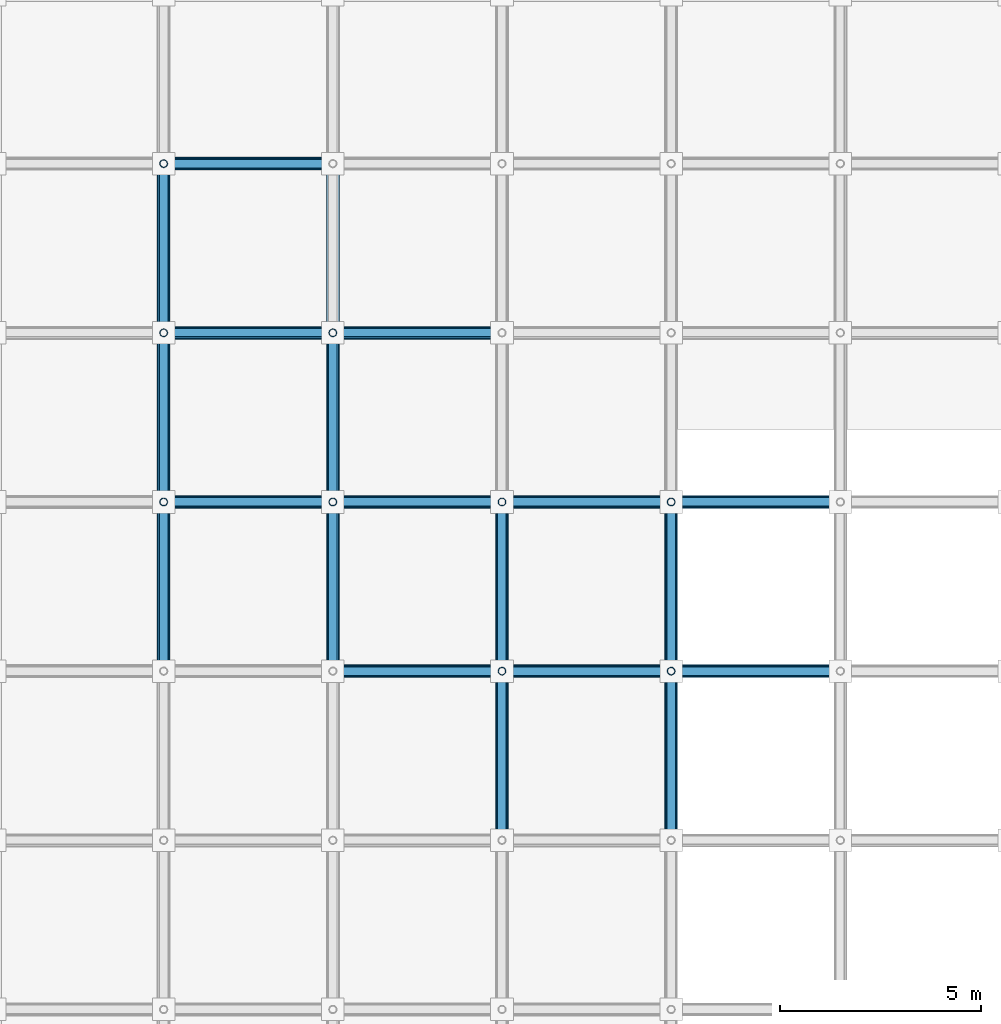
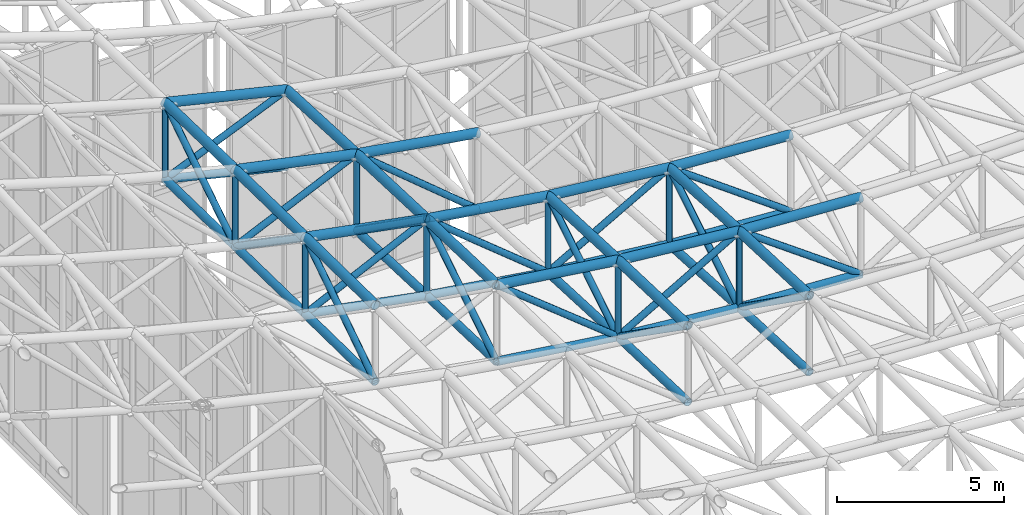
# One storey, part 29 of 93: 67 members.
"""IFC4 building model written with IfcOpenShell, lengths in metres."""

from ifc_helpers import new_model, si_unit, direction, frame, origin, origin_2d, place, context, subcontext, project, spatial, hollow_circle, extrude, material, material_profile, profile_set, type_object, element, save


model = new_model("IFC4")

# Units and contexts
model_context = context("Model", 3, precision=1e-05, world=origin(), true_north=direction((0.0, 1.0)))
body_context = subcontext(model_context, "Body", "Model", "MODEL_VIEW")
ifc_project = project(units=[si_unit("LENGTHUNIT", "METRE"), si_unit("AREAUNIT", "SQUARE_METRE"), si_unit("VOLUMEUNIT", "CUBIC_METRE"), si_unit("PLANEANGLEUNIT", "RADIAN"), si_unit("MASSUNIT", "GRAM", prefix="KILO")], contexts=[model_context])

# Site, building, storey
site_placement = place(None, origin())
site = spatial("IfcSite", under=ifc_project, at=site_placement, CompositionType="ELEMENT")
building_placement = place(site_placement, origin())
building = spatial("IfcBuilding", under=site, at=building_placement, Name="Cumbredor Promenade Congress Hotel", CompositionType="ELEMENT")
storey_placement = place(building_placement, frame((0.0, 0.0, 21.840087890625)))
storey = spatial("IfcBuildingStorey", under=building, at=storey_placement, Name="L06", CompositionType="ELEMENT", Elevation=21.840087890625)

# Members
ifc_material = material(Name="Steel ASTM A500 Grade C", Category="steel")
ifc_material_profile_1 = material_profile(ifc_material, hollow_circle(Radius=0.136474609375, WallThickness=0.01611328125, at=origin_2d()), Name="CHS 273.0x16")
ifc_profile_set_1 = profile_set([ifc_material_profile_1], Name="Steel ASTM A500 Grade C")
member_type_1 = type_object("IfcMemberType", Name="Plenary Roof Space Frame Bottom Chord", PredefinedType="CHORD", material=ifc_profile_set_1)
member_1_placement = place(storey_placement, frame((16.800048828125, 50.39990234375, 8.819091796875), z_axis=(0.991135072385, 0.0, -0.132858075738), x_axis=(0.0, 1.0, 0.0)))
element("IfcMember", 1, at=member_1_placement, inside=storey, type_object=member_type_1, Name="Plenary Congress Hall X Bottom Chord 6.13", PredefinedType="CHORD", context=body_context, shape_type="SweptSolid", body=[
    extrude(hollow_circle(Radius=0.136474609375, WallThickness=0.01611328125, at=origin_2d()), origin(), (0.0, 0.0, 1.0), 4.237548828125),
])
member_2_placement = place(storey_placement, frame((21.0, 50.39990234375, 8.256103515625), z_axis=(0.995448277851, 0.0, -0.095303337419), x_axis=(0.0, 1.0, 0.0)))
element("IfcMember", 2, at=member_2_placement, inside=storey, type_object=member_type_1, Name="Plenary Congress Hall X Bottom Chord 7.13", PredefinedType="CHORD", context=body_context, shape_type="SweptSolid", body=[
    extrude(hollow_circle(Radius=0.136474609375, WallThickness=0.01611328125, at=origin_2d()), origin(), (0.0, 0.0, 1.0), 4.21923828125),
])
member_3_placement = place(storey_placement, frame((25.199951171875, 50.39990234375, 7.85400390625), z_axis=(0.998351536645, 0.0, -0.057395202566), x_axis=(0.0, 1.0, 0.0)))
element("IfcMember", 3, at=member_3_placement, inside=storey, type_object=member_type_1, Name="Plenary Congress Hall X Bottom Chord 8.13", PredefinedType="CHORD", context=body_context, shape_type="SweptSolid", body=[
    extrude(hollow_circle(Radius=0.136474609375, WallThickness=0.01611328125, at=origin_2d()), origin(), (0.0, 0.0, 1.0), 4.206787109375),
])
member_4_placement = place(storey_placement, frame((12.60009765625, 54.60009765625, 9.484130859375), z_axis=(0.98239899526, 0.0, -0.186794577312), x_axis=(0.0, 1.0, 0.0)))
element("IfcMember", 4, at=member_4_placement, inside=storey, type_object=member_type_1, Name="Plenary Congress Hall X Bottom Chord 5.14", PredefinedType="CHORD", context=body_context, shape_type="SweptSolid", body=[
    extrude(hollow_circle(Radius=0.136474609375, WallThickness=0.01611328125, at=origin_2d()), origin(), (0.0, 0.0, 1.0), 4.275146484375),
])
member_5_placement = place(storey_placement, frame((16.800048828125, 54.60009765625, 8.685546875), z_axis=(0.989250033401, 0.0, -0.146233961224), x_axis=(0.0, 1.0, 0.0)))
element("IfcMember", 5, at=member_5_placement, inside=storey, type_object=member_type_1, Name="Plenary Congress Hall X Bottom Chord 6.14", PredefinedType="CHORD", context=body_context, shape_type="SweptSolid", body=[
    extrude(hollow_circle(Radius=0.136474609375, WallThickness=0.01611328125, at=origin_2d()), origin(), (0.0, 0.0, 1.0), 4.24560546875),
])
member_6_placement = place(storey_placement, frame((21.0, 54.60009765625, 8.064697265625), z_axis=(0.99446833023, 0.0, -0.105036851481), x_axis=(0.0, 1.0, 0.0)))
element("IfcMember", 6, at=member_6_placement, inside=storey, type_object=member_type_1, Name="Plenary Congress Hall X Bottom Chord 7.14", PredefinedType="CHORD", context=body_context, shape_type="SweptSolid", body=[
    extrude(hollow_circle(Radius=0.136474609375, WallThickness=0.01611328125, at=origin_2d()), origin(), (0.0, 0.0, 1.0), 4.223388671875),
])
member_7_placement = place(storey_placement, frame((25.199951171875, 54.60009765625, 7.62109375), z_axis=(0.997998712994, 0.0, -0.063234238049), x_axis=(0.0, 1.0, 0.0)))
element("IfcMember", 7, at=member_7_placement, inside=storey, type_object=member_type_1, Name="Plenary Congress Hall X Bottom Chord 8.14", PredefinedType="CHORD", context=body_context, shape_type="SweptSolid", body=[
    extrude(hollow_circle(Radius=0.136474609375, WallThickness=0.01611328125, at=origin_2d()), origin(), (0.0, 0.0, 1.0), 4.208251953125),
])
member_8_placement = place(storey_placement, frame((12.60009765625, 58.800048828125, 9.410400390625), z_axis=(0.978189332604, 0.0, -0.207715260827), x_axis=(0.0, 1.0, 0.0)))
element("IfcMember", 8, at=member_8_placement, inside=storey, type_object=member_type_1, Name="Plenary Congress Hall X Bottom Chord 5.15", PredefinedType="CHORD", context=body_context, shape_type="SweptSolid", body=[
    extrude(hollow_circle(Radius=0.136474609375, WallThickness=0.01611328125, at=origin_2d()), origin(), (0.0, 0.0, 1.0), 4.293701171875),
])
member_9_placement = place(storey_placement, frame((16.800048828125, 58.800048828125, 8.5185546875), z_axis=(0.986645422548, 0.0, -0.16288281114), x_axis=(0.0, 1.0, 0.0)))
element("IfcMember", 9, at=member_9_placement, inside=storey, type_object=member_type_1, Name="Plenary Congress Hall X Bottom Chord 6.15", PredefinedType="CHORD", context=body_context, shape_type="SweptSolid", body=[
    extrude(hollow_circle(Radius=0.136474609375, WallThickness=0.01611328125, at=origin_2d()), origin(), (0.0, 0.0, 1.0), 4.2568359375),
])
member_10_placement = place(storey_placement, frame((12.60009765625, 63.0, 9.321533203125), z_axis=(0.972626967518, 0.0, -0.23237207676), x_axis=(0.0, 1.0, 0.0)))
element("IfcMember", 10, at=member_10_placement, inside=storey, type_object=member_type_1, Name="Plenary Congress Hall X Bottom Chord 5.16", PredefinedType="CHORD", context=body_context, shape_type="SweptSolid", body=[
    extrude(hollow_circle(Radius=0.136474609375, WallThickness=0.01611328125, at=origin_2d()), origin(), (0.0, 0.0, 1.0), 4.318115234375),
])
for number, where, z_axis, x_axis, name in (
    (11, (12.60009765625, 50.39990234375, 9.54296875), (0.0, 0.999901897221, -0.014006995886), (-1.0, 0.0, 0.0), "Plenary Congress Hall Y Bottom Chord 5.13"),
    (12, (12.60009765625, 54.60009765625, 9.484130859375), (0.0, 0.999845945232, -0.017552373159), (-1.0, 0.0, 0.0), "Plenary Congress Hall Y Bottom Chord 5.14"),
):
    element("IfcMember", number, at=place(storey_placement, frame(where, z_axis=z_axis, x_axis=x_axis)), inside=storey, type_object=member_type_1, Name=name, PredefinedType="CHORD", context=body_context, shape_type="SweptSolid", body=[
        extrude(hollow_circle(Radius=0.136474609375, WallThickness=0.01611328125, at=origin_2d()), origin(), (0.0, 0.0, 1.0), 4.20068359375),
    ])
member_11_placement = place(storey_placement, frame((12.60009765625, 58.800048828125, 9.410400390625), z_axis=(0.0, 0.999776221378, -0.021154365203), x_axis=(-1.0, 0.0, 0.0)))
element("IfcMember", 13, at=member_11_placement, inside=storey, type_object=member_type_1, Name="Plenary Congress Hall Y Bottom Chord 5.15", PredefinedType="CHORD", context=body_context, shape_type="SweptSolid", body=[
    extrude(hollow_circle(Radius=0.136474609375, WallThickness=0.01611328125, at=origin_2d()), origin(), (0.0, 0.0, 1.0), 4.200927734375),
])
member_12_placement = place(storey_placement, frame((16.800048828125, 50.39990234375, 8.819091796875), z_axis=(0.0, 0.999494924079, -0.031778872557), x_axis=(-1.0, 0.0, 0.0)))
element("IfcMember", 14, at=member_12_placement, inside=storey, type_object=member_type_1, Name="Plenary Congress Hall Y Bottom Chord 6.13", PredefinedType="CHORD", context=body_context, shape_type="SweptSolid", body=[
    extrude(hollow_circle(Radius=0.136474609375, WallThickness=0.01611328125, at=origin_2d()), origin(), (0.0, 0.0, 1.0), 4.202392578125),
])
member_13_placement = place(storey_placement, frame((16.800048828125, 54.60009765625, 8.685546875), z_axis=(0.0, 0.999210487027, -0.039729115452), x_axis=(-1.0, 0.0, 0.0)))
element("IfcMember", 15, at=member_13_placement, inside=storey, type_object=member_type_1, Name="Plenary Congress Hall Y Bottom Chord 6.14", PredefinedType="CHORD", context=body_context, shape_type="SweptSolid", body=[
    extrude(hollow_circle(Radius=0.136474609375, WallThickness=0.01611328125, at=origin_2d()), origin(), (0.0, 0.0, 1.0), 4.203369140625),
])
member_14_placement = place(storey_placement, frame((21.0, 46.199951171875, 8.399658203125), z_axis=(0.0, 0.999416372229, -0.034160136422), x_axis=(-1.0, 0.0, 0.0)))
element("IfcMember", 16, at=member_14_placement, inside=storey, type_object=member_type_1, Name="Plenary Congress Hall Y Bottom Chord 7.12", PredefinedType="CHORD", context=body_context, shape_type="SweptSolid", body=[
    extrude(hollow_circle(Radius=0.136474609375, WallThickness=0.01611328125, at=origin_2d()), origin(), (0.0, 0.0, 1.0), 4.202392578125),
])
member_15_placement = place(storey_placement, frame((21.0, 50.39990234375, 8.256103515625), z_axis=(0.0, 0.998963265667, -0.045523552679), x_axis=(-1.0, 0.0, 0.0)))
element("IfcMember", 17, at=member_15_placement, inside=storey, type_object=member_type_1, Name="Plenary Congress Hall Y Bottom Chord 7.13", PredefinedType="CHORD", context=body_context, shape_type="SweptSolid", body=[
    extrude(hollow_circle(Radius=0.136474609375, WallThickness=0.01611328125, at=origin_2d()), origin(), (0.0, 0.0, 1.0), 4.20458984375),
])
member_16_placement = place(storey_placement, frame((25.199951171875, 46.199951171875, 8.02880859375), z_axis=(0.0, 0.999134984522, -0.041584645057), x_axis=(-1.0, 0.0, 0.0)))
element("IfcMember", 18, at=member_16_placement, inside=storey, type_object=member_type_1, Name="Plenary Congress Hall Y Bottom Chord 8.12", PredefinedType="CHORD", context=body_context, shape_type="SweptSolid", body=[
    extrude(hollow_circle(Radius=0.136474609375, WallThickness=0.01611328125, at=origin_2d()), origin(), (0.0, 0.0, 1.0), 4.20361328125),
])
member_17_placement = place(storey_placement, frame((25.199951171875, 50.39990234375, 7.85400390625), z_axis=(0.0, 0.998466062305, -0.055367160163), x_axis=(-1.0, 0.0, 0.0)))
element("IfcMember", 19, at=member_17_placement, inside=storey, type_object=member_type_1, Name="Plenary Congress Hall Y Bottom Chord 8.13", PredefinedType="CHORD", context=body_context, shape_type="SweptSolid", body=[
    extrude(hollow_circle(Radius=0.136474609375, WallThickness=0.01611328125, at=origin_2d()), origin(), (0.0, 0.0, 1.0), 4.20654296875),
])
ifc_material_profile_2 = material_profile(ifc_material, hollow_circle(Radius=0.161865234375, WallThickness=0.01611328125, at=origin_2d()), Name="CHS 323.9x16")
ifc_profile_set_2 = profile_set([ifc_material_profile_2], Name="Steel ASTM A500 Grade C")
member_type_2 = type_object("IfcMemberType", Name="Plenary Roof Space Frame Top Chord", PredefinedType="CHORD", material=ifc_profile_set_2)
member_18_placement = place(storey_placement, frame((16.800048828125, 50.39990234375, 11.619140625), z_axis=(0.991127484187, 0.0, -0.13291467221), x_axis=(0.0, 1.0, 0.0)))
element("IfcMember", 20, at=member_18_placement, inside=storey, type_object=member_type_2, Name="Plenary Congress Hall X Top Chord 6.13", PredefinedType="CHORD", context=body_context, shape_type="SweptSolid", body=[
    extrude(hollow_circle(Radius=0.161865234375, WallThickness=0.01611328125, at=origin_2d()), origin(), (0.0, 0.0, 1.0), 4.237548828125),
])
member_19_placement = place(storey_placement, frame((21.0, 50.39990234375, 11.055908203125), z_axis=(0.995453765838, 0.0, -0.095245997708), x_axis=(0.0, 1.0, 0.0)))
element("IfcMember", 21, at=member_19_placement, inside=storey, type_object=member_type_2, Name="Plenary Congress Hall X Top Chord 7.13", PredefinedType="CHORD", context=body_context, shape_type="SweptSolid", body=[
    extrude(hollow_circle(Radius=0.161865234375, WallThickness=0.01611328125, at=origin_2d()), origin(), (0.0, 0.0, 1.0), 4.21923828125),
])
member_20_placement = place(storey_placement, frame((25.199951171875, 50.39990234375, 10.654052734375), z_axis=(0.998351536645, 0.0, -0.057395202566), x_axis=(0.0, 1.0, 0.0)))
element("IfcMember", 22, at=member_20_placement, inside=storey, type_object=member_type_2, Name="Plenary Congress Hall X Top Chord 8.13", PredefinedType="CHORD", context=body_context, shape_type="SweptSolid", body=[
    extrude(hollow_circle(Radius=0.161865234375, WallThickness=0.01611328125, at=origin_2d()), origin(), (0.0, 0.0, 1.0), 4.206787109375),
])
member_21_placement = place(storey_placement, frame((12.60009765625, 54.60009765625, 12.2841796875), z_axis=(0.98239899526, 0.0, -0.186794577312), x_axis=(0.0, 1.0, 0.0)))
element("IfcMember", 23, at=member_21_placement, inside=storey, type_object=member_type_2, Name="Plenary Congress Hall X Top Chord 5.14", PredefinedType="CHORD", context=body_context, shape_type="SweptSolid", body=[
    extrude(hollow_circle(Radius=0.161865234375, WallThickness=0.01611328125, at=origin_2d()), origin(), (0.0, 0.0, 1.0), 4.275146484375),
])
member_22_placement = place(storey_placement, frame((16.800048828125, 54.60009765625, 11.485595703125), z_axis=(0.989241713157, 0.0, -0.146290235324), x_axis=(0.0, 1.0, 0.0)))
element("IfcMember", 24, at=member_22_placement, inside=storey, type_object=member_type_2, Name="Plenary Congress Hall X Top Chord 6.14", PredefinedType="CHORD", context=body_context, shape_type="SweptSolid", body=[
    extrude(hollow_circle(Radius=0.161865234375, WallThickness=0.01611328125, at=origin_2d()), origin(), (0.0, 0.0, 1.0), 4.24560546875),
])
member_23_placement = place(storey_placement, frame((21.0, 54.60009765625, 10.864501953125), z_axis=(0.994474366989, 0.0, -0.104979680896), x_axis=(0.0, 1.0, 0.0)))
element("IfcMember", 25, at=member_23_placement, inside=storey, type_object=member_type_2, Name="Plenary Congress Hall X Top Chord 7.14", PredefinedType="CHORD", context=body_context, shape_type="SweptSolid", body=[
    extrude(hollow_circle(Radius=0.161865234375, WallThickness=0.01611328125, at=origin_2d()), origin(), (0.0, 0.0, 1.0), 4.223388671875),
])
member_24_placement = place(storey_placement, frame((25.199951171875, 54.60009765625, 10.421142578125), z_axis=(0.997998712994, 0.0, -0.063234238049), x_axis=(0.0, 1.0, 0.0)))
element("IfcMember", 26, at=member_24_placement, inside=storey, type_object=member_type_2, Name="Plenary Congress Hall X Top Chord 8.14", PredefinedType="CHORD", context=body_context, shape_type="SweptSolid", body=[
    extrude(hollow_circle(Radius=0.161865234375, WallThickness=0.01611328125, at=origin_2d()), origin(), (0.0, 0.0, 1.0), 4.208251953125),
])
member_25_placement = place(storey_placement, frame((12.60009765625, 58.800048828125, 12.210205078125), z_axis=(0.978200884634, 0.0, -0.207660851635), x_axis=(0.0, 1.0, 0.0)))
element("IfcMember", 27, at=member_25_placement, inside=storey, type_object=member_type_2, Name="Plenary Congress Hall X Top Chord 5.15", PredefinedType="CHORD", context=body_context, shape_type="SweptSolid", body=[
    extrude(hollow_circle(Radius=0.161865234375, WallThickness=0.01611328125, at=origin_2d()), origin(), (0.0, 0.0, 1.0), 4.29345703125),
])
member_26_placement = place(storey_placement, frame((16.800048828125, 58.800048828125, 11.318603515625), z_axis=(0.986636203976, 0.0, -0.162938641836), x_axis=(0.0, 1.0, 0.0)))
element("IfcMember", 28, at=member_26_placement, inside=storey, type_object=member_type_2, Name="Plenary Congress Hall X Top Chord 6.15", PredefinedType="CHORD", context=body_context, shape_type="SweptSolid", body=[
    extrude(hollow_circle(Radius=0.161865234375, WallThickness=0.01611328125, at=origin_2d()), origin(), (0.0, 0.0, 1.0), 4.2568359375),
])
member_27_placement = place(storey_placement, frame((12.60009765625, 63.0, 12.12158203125), z_axis=(0.972626967518, 0.0, -0.23237207676), x_axis=(0.0, 1.0, 0.0)))
element("IfcMember", 29, at=member_27_placement, inside=storey, type_object=member_type_2, Name="Plenary Congress Hall X Top Chord 5.16", PredefinedType="CHORD", context=body_context, shape_type="SweptSolid", body=[
    extrude(hollow_circle(Radius=0.161865234375, WallThickness=0.01611328125, at=origin_2d()), origin(), (0.0, 0.0, 1.0), 4.318115234375),
])
for number, where, z_axis, x_axis, name in (
    (30, (12.60009765625, 50.39990234375, 12.343017578125), (0.0, 0.999901897221, -0.014006995886), (-1.0, 0.0, 0.0), "Plenary Congress Hall Y Top Chord 5.13"),
    (31, (12.60009765625, 54.60009765625, 12.2841796875), (0.0, 0.99984492355, -0.017610475605), (-1.0, 0.0, 0.0), "Plenary Congress Hall Y Top Chord 5.14"),
):
    element("IfcMember", number, at=place(storey_placement, frame(where, z_axis=z_axis, x_axis=x_axis)), inside=storey, type_object=member_type_2, Name=name, PredefinedType="CHORD", context=body_context, shape_type="SweptSolid", body=[
        extrude(hollow_circle(Radius=0.161865234375, WallThickness=0.01611328125, at=origin_2d()), origin(), (0.0, 0.0, 1.0), 4.20068359375),
    ])
member_28_placement = place(storey_placement, frame((12.60009765625, 58.800048828125, 12.210205078125), z_axis=(0.0, 0.999777448832, -0.021096274715), x_axis=(-1.0, 0.0, 0.0)))
element("IfcMember", 32, at=member_28_placement, inside=storey, type_object=member_type_2, Name="Plenary Congress Hall Y Top Chord 5.15", PredefinedType="CHORD", context=body_context, shape_type="SweptSolid", body=[
    extrude(hollow_circle(Radius=0.161865234375, WallThickness=0.01611328125, at=origin_2d()), origin(), (0.0, 0.0, 1.0), 4.200927734375),
])
member_29_placement = place(storey_placement, frame((16.800048828125, 50.39990234375, 11.619140625), z_axis=(0.0, 0.999494924079, -0.031778872557), x_axis=(-1.0, 0.0, 0.0)))
element("IfcMember", 33, at=member_29_placement, inside=storey, type_object=member_type_2, Name="Plenary Congress Hall Y Top Chord 6.13", PredefinedType="CHORD", context=body_context, shape_type="SweptSolid", body=[
    extrude(hollow_circle(Radius=0.161865234375, WallThickness=0.01611328125, at=origin_2d()), origin(), (0.0, 0.0, 1.0), 4.202392578125),
])
member_30_placement = place(storey_placement, frame((16.800048828125, 54.60009765625, 11.485595703125), z_axis=(0.0, 0.999210487027, -0.039729115452), x_axis=(-1.0, 0.0, 0.0)))
element("IfcMember", 34, at=member_30_placement, inside=storey, type_object=member_type_2, Name="Plenary Congress Hall Y Top Chord 6.14", PredefinedType="CHORD", context=body_context, shape_type="SweptSolid", body=[
    extrude(hollow_circle(Radius=0.161865234375, WallThickness=0.01611328125, at=origin_2d()), origin(), (0.0, 0.0, 1.0), 4.203369140625),
])
member_31_placement = place(storey_placement, frame((16.800048828125, 58.800048828125, 11.318603515625), z_axis=(0.0, 0.998863140355, -0.047669978389), x_axis=(-1.0, 0.0, 0.0)))
element("IfcMember", 35, at=member_31_placement, inside=storey, type_object=member_type_2, Name="Plenary Congress Hall Y Top Chord 6.15", PredefinedType="CHORD", context=body_context, shape_type="SweptSolid", body=[
    extrude(hollow_circle(Radius=0.161865234375, WallThickness=0.01611328125, at=origin_2d()), origin(), (0.0, 0.0, 1.0), 4.204833984375),
])
member_32_placement = place(storey_placement, frame((21.0, 46.199951171875, 11.19970703125), z_axis=(0.0, 0.999414387158, -0.034218163927), x_axis=(-1.0, 0.0, 0.0)))
element("IfcMember", 36, at=member_32_placement, inside=storey, type_object=member_type_2, Name="Plenary Congress Hall Y Top Chord 7.12", PredefinedType="CHORD", context=body_context, shape_type="SweptSolid", body=[
    extrude(hollow_circle(Radius=0.161865234375, WallThickness=0.01611328125, at=origin_2d()), origin(), (0.0, 0.0, 1.0), 4.202392578125),
])
member_33_placement = place(storey_placement, frame((21.0, 50.39990234375, 11.055908203125), z_axis=(0.0, 0.998963265667, -0.045523552679), x_axis=(-1.0, 0.0, 0.0)))
element("IfcMember", 37, at=member_33_placement, inside=storey, type_object=member_type_2, Name="Plenary Congress Hall Y Top Chord 7.13", PredefinedType="CHORD", context=body_context, shape_type="SweptSolid", body=[
    extrude(hollow_circle(Radius=0.161865234375, WallThickness=0.01611328125, at=origin_2d()), origin(), (0.0, 0.0, 1.0), 4.20458984375),
])
member_34_placement = place(storey_placement, frame((25.199951171875, 46.199951171875, 10.82861328125), z_axis=(0.0, 0.999137395956, -0.041526666169), x_axis=(-1.0, 0.0, 0.0)))
element("IfcMember", 38, at=member_34_placement, inside=storey, type_object=member_type_2, Name="Plenary Congress Hall Y Top Chord 8.12", PredefinedType="CHORD", context=body_context, shape_type="SweptSolid", body=[
    extrude(hollow_circle(Radius=0.161865234375, WallThickness=0.01611328125, at=origin_2d()), origin(), (0.0, 0.0, 1.0), 4.20361328125),
])
member_35_placement = place(storey_placement, frame((25.199951171875, 50.39990234375, 10.654052734375), z_axis=(0.0, 0.998466062305, -0.055367160163), x_axis=(-1.0, 0.0, 0.0)))
element("IfcMember", 39, at=member_35_placement, inside=storey, type_object=member_type_2, Name="Plenary Congress Hall Y Top Chord 8.13", PredefinedType="CHORD", context=body_context, shape_type="SweptSolid", body=[
    extrude(hollow_circle(Radius=0.161865234375, WallThickness=0.01611328125, at=origin_2d()), origin(), (0.0, 0.0, 1.0), 4.20654296875),
])
ifc_material_profile_3 = material_profile(ifc_material, hollow_circle(Radius=0.109619140625, WallThickness=0.012451171875, at=origin_2d()), Name="CHS 219.1x12.5")
ifc_profile_set_3 = profile_set([ifc_material_profile_3], Name="Steel ASTM A500 Grade C")
member_type_3 = type_object("IfcMemberType", Name="Space Frame Web Diagonal D1", PredefinedType="BRACE", material=ifc_profile_set_3)
member_36_placement = place(storey_placement, frame((16.800048828125, 50.39990234375, 11.619140625), z_axis=(0.780589840053, 0.0, -0.625043599764), x_axis=(0.0, 1.0, 0.0)))
element("IfcMember", 40, at=member_36_placement, inside=storey, type_object=member_type_3, Name="Plenary Congress Hall X Web Diagonal 6.13", PredefinedType="BRACE", context=body_context, shape_type="SweptSolid", body=[
    extrude(hollow_circle(Radius=0.109619140625, WallThickness=0.012451171875, at=origin_2d()), origin(), (0.0, 0.0, 1.0), 5.38037109375),
])
member_37_placement = place(storey_placement, frame((21.0, 50.39990234375, 8.256103515625), z_axis=(0.868423262922, 0.0, 0.495823594049), x_axis=(0.0, 1.0, 0.0)))
element("IfcMember", 41, at=member_37_placement, inside=storey, type_object=member_type_3, Name="Plenary Congress Hall X Web Diagonal 7.13", PredefinedType="BRACE", context=body_context, shape_type="SweptSolid", body=[
    extrude(hollow_circle(Radius=0.109619140625, WallThickness=0.012451171875, at=origin_2d()), origin(), (0.0, 0.0, 1.0), 4.836181640625),
])
member_38_placement = place(storey_placement, frame((25.199951171875, 50.39990234375, 10.654052734375), z_axis=(0.809927468281, 0.0, -0.586530047076), x_axis=(0.0, 1.0, 0.0)))
element("IfcMember", 42, at=member_38_placement, inside=storey, type_object=member_type_3, Name="Plenary Congress Hall X Web Diagonal 8.13", PredefinedType="BRACE", context=body_context, shape_type="SweptSolid", body=[
    extrude(hollow_circle(Radius=0.109619140625, WallThickness=0.012451171875, at=origin_2d()), origin(), (0.0, 0.0, 1.0), 5.185546875),
])
member_39_placement = place(storey_placement, frame((12.60009765625, 54.60009765625, 9.484130859375), z_axis=(0.902736324685, 0.0, 0.430194291099), x_axis=(0.0, 1.0, 0.0)))
element("IfcMember", 43, at=member_39_placement, inside=storey, type_object=member_type_3, Name="Plenary Congress Hall X Web Diagonal 5.14", PredefinedType="BRACE", context=body_context, shape_type="SweptSolid", body=[
    extrude(hollow_circle(Radius=0.109619140625, WallThickness=0.012451171875, at=origin_2d()), origin(), (0.0, 0.0, 1.0), 4.652587890625),
])
member_40_placement = place(storey_placement, frame((16.800048828125, 54.60009765625, 11.485595703125), z_axis=(0.775351048957, 0.0, -0.631530482939), x_axis=(0.0, 1.0, 0.0)))
element("IfcMember", 44, at=member_40_placement, inside=storey, type_object=member_type_3, Name="Plenary Congress Hall X Web Diagonal 6.14", PredefinedType="BRACE", context=body_context, shape_type="SweptSolid", body=[
    extrude(hollow_circle(Radius=0.109619140625, WallThickness=0.012451171875, at=origin_2d()), origin(), (0.0, 0.0, 1.0), 5.416748046875),
])
member_41_placement = place(storey_placement, frame((21.0, 54.60009765625, 8.064697265625), z_axis=(0.872109800473, 0.0, 0.489310224622), x_axis=(0.0, 1.0, 0.0)))
element("IfcMember", 45, at=member_41_placement, inside=storey, type_object=member_type_3, Name="Plenary Congress Hall X Web Diagonal 7.14", PredefinedType="BRACE", context=body_context, shape_type="SweptSolid", body=[
    extrude(hollow_circle(Radius=0.109619140625, WallThickness=0.012451171875, at=origin_2d()), origin(), (0.0, 0.0, 1.0), 4.81591796875),
])
member_42_placement = place(storey_placement, frame((25.199951171875, 54.60009765625, 10.421142578125), z_axis=(0.807668880256, 0.0, -0.589636311523), x_axis=(0.0, 1.0, 0.0)))
element("IfcMember", 46, at=member_42_placement, inside=storey, type_object=member_type_3, Name="Plenary Congress Hall X Web Diagonal 8.14", PredefinedType="BRACE", context=body_context, shape_type="SweptSolid", body=[
    extrude(hollow_circle(Radius=0.109619140625, WallThickness=0.012451171875, at=origin_2d()), origin(), (0.0, 0.0, 1.0), 5.2001953125),
])
member_43_placement = place(storey_placement, frame((12.60009765625, 58.800048828125, 9.410400390625), z_axis=(0.910437149226, 0.0, 0.413647431166), x_axis=(0.0, 1.0, 0.0)))
element("IfcMember", 47, at=member_43_placement, inside=storey, type_object=member_type_3, Name="Plenary Congress Hall X Web Diagonal 5.15", PredefinedType="BRACE", context=body_context, shape_type="SweptSolid", body=[
    extrude(hollow_circle(Radius=0.109619140625, WallThickness=0.012451171875, at=origin_2d()), origin(), (0.0, 0.0, 1.0), 4.613037109375),
])
member_44_placement = place(storey_placement, frame((16.800048828125, 58.800048828125, 11.318603515625), z_axis=(0.768810721716, 0.0, -0.639476406269), x_axis=(0.0, 1.0, 0.0)))
element("IfcMember", 48, at=member_44_placement, inside=storey, type_object=member_type_3, Name="Plenary Congress Hall X Web Diagonal 6.15", PredefinedType="BRACE", context=body_context, shape_type="SweptSolid", body=[
    extrude(hollow_circle(Radius=0.109619140625, WallThickness=0.012451171875, at=origin_2d()), origin(), (0.0, 0.0, 1.0), 5.462890625),
])
member_45_placement = place(storey_placement, frame((12.60009765625, 63.0, 9.321533203125), z_axis=(0.919410202311, 0.0, 0.393299987142), x_axis=(0.0, 1.0, 0.0)))
element("IfcMember", 49, at=member_45_placement, inside=storey, type_object=member_type_3, Name="Plenary Congress Hall X Web Diagonal 5.16", PredefinedType="BRACE", context=body_context, shape_type="SweptSolid", body=[
    extrude(hollow_circle(Radius=0.109619140625, WallThickness=0.012451171875, at=origin_2d()), origin(), (0.0, 0.0, 1.0), 4.568115234375),
])
member_46_placement = place(storey_placement, frame((12.60009765625, 50.39990234375, 9.54296875), z_axis=(0.0, 0.837432372654, 0.546540960251), x_axis=(-1.0, 0.0, 0.0)))
element("IfcMember", 50, at=member_46_placement, inside=storey, type_object=member_type_3, Name="Plenary Congress Hall Y Web Diagonal 5.13", PredefinedType="BRACE", context=body_context, shape_type="SweptSolid", body=[
    extrude(hollow_circle(Radius=0.109619140625, WallThickness=0.012451171875, at=origin_2d()), origin(), (0.0, 0.0, 1.0), 5.015625),
])
member_47_placement = place(storey_placement, frame((12.60009765625, 54.60009765625, 12.2841796875), z_axis=(0.0, 0.825295493881, -0.56470111367), x_axis=(-1.0, 0.0, 0.0)))
element("IfcMember", 51, at=member_47_placement, inside=storey, type_object=member_type_3, Name="Plenary Congress Hall Y Web Diagonal 5.14", PredefinedType="BRACE", context=body_context, shape_type="SweptSolid", body=[
    extrude(hollow_circle(Radius=0.109619140625, WallThickness=0.012451171875, at=origin_2d()), origin(), (0.0, 0.0, 1.0), 5.089111328125),
])
member_48_placement = place(storey_placement, frame((12.60009765625, 58.800048828125, 9.410400390625), z_axis=(0.0, 0.840156673555, 0.5423437691), x_axis=(-1.0, 0.0, 0.0)))
element("IfcMember", 52, at=member_48_placement, inside=storey, type_object=member_type_3, Name="Plenary Congress Hall Y Web Diagonal 5.15", PredefinedType="BRACE", context=body_context, shape_type="SweptSolid", body=[
    extrude(hollow_circle(Radius=0.109619140625, WallThickness=0.012451171875, at=origin_2d()), origin(), (0.0, 0.0, 1.0), 4.9990234375),
])
member_49_placement = place(storey_placement, frame((16.800048828125, 50.39990234375, 8.819091796875), z_axis=(0.0, 0.84423889682, 0.53596705598), x_axis=(-1.0, 0.0, 0.0)))
element("IfcMember", 53, at=member_49_placement, inside=storey, type_object=member_type_3, Name="Plenary Congress Hall Y Web Diagonal 6.13", PredefinedType="BRACE", context=body_context, shape_type="SweptSolid", body=[
    extrude(hollow_circle(Radius=0.109619140625, WallThickness=0.012451171875, at=origin_2d()), origin(), (0.0, 0.0, 1.0), 4.97509765625),
])
member_50_placement = place(storey_placement, frame((16.800048828125, 54.60009765625, 11.485595703125), z_axis=(0.0, 0.816750703973, -0.576990717048), x_axis=(-1.0, 0.0, 0.0)))
element("IfcMember", 54, at=member_50_placement, inside=storey, type_object=member_type_3, Name="Plenary Congress Hall Y Web Diagonal 6.14", PredefinedType="BRACE", context=body_context, shape_type="SweptSolid", body=[
    extrude(hollow_circle(Radius=0.109619140625, WallThickness=0.012451171875, at=origin_2d()), origin(), (0.0, 0.0, 1.0), 5.142333984375),
])
member_51_placement = place(storey_placement, frame((21.0, 46.199951171875, 11.19970703125), z_axis=(0.0, 0.818898567667, -0.573938268346), x_axis=(-1.0, 0.0, 0.0)))
element("IfcMember", 55, at=member_51_placement, inside=storey, type_object=member_type_3, Name="Plenary Congress Hall Y Web Diagonal 7.12", PredefinedType="BRACE", context=body_context, shape_type="SweptSolid", body=[
    extrude(hollow_circle(Radius=0.109619140625, WallThickness=0.012451171875, at=origin_2d()), origin(), (0.0, 0.0, 1.0), 5.128662109375),
])
member_52_placement = place(storey_placement, frame((21.0, 50.39990234375, 8.256103515625), z_axis=(0.0, 0.849515020751, 0.527564431627), x_axis=(-1.0, 0.0, 0.0)))
element("IfcMember", 56, at=member_52_placement, inside=storey, type_object=member_type_3, Name="Plenary Congress Hall Y Web Diagonal 7.13", PredefinedType="BRACE", context=body_context, shape_type="SweptSolid", body=[
    extrude(hollow_circle(Radius=0.109619140625, WallThickness=0.012451171875, at=origin_2d()), origin(), (0.0, 0.0, 1.0), 4.9443359375),
])
member_53_placement = place(storey_placement, frame((25.199951171875, 46.199951171875, 10.82861328125), z_axis=(0.0, 0.816057109813, -0.577971273961), x_axis=(-1.0, 0.0, 0.0)))
element("IfcMember", 57, at=member_53_placement, inside=storey, type_object=member_type_3, Name="Plenary Congress Hall Y Web Diagonal 8.12", PredefinedType="BRACE", context=body_context, shape_type="SweptSolid", body=[
    extrude(hollow_circle(Radius=0.109619140625, WallThickness=0.012451171875, at=origin_2d()), origin(), (0.0, 0.0, 1.0), 5.146728515625),
])
member_54_placement = place(storey_placement, frame((25.199951171875, 50.39990234375, 7.85400390625), z_axis=(0.0, 0.853249956862, 0.521502167891), x_axis=(-1.0, 0.0, 0.0)))
element("IfcMember", 58, at=member_54_placement, inside=storey, type_object=member_type_3, Name="Plenary Congress Hall Y Web Diagonal 8.13", PredefinedType="BRACE", context=body_context, shape_type="SweptSolid", body=[
    extrude(hollow_circle(Radius=0.109619140625, WallThickness=0.012451171875, at=origin_2d()), origin(), (0.0, 0.0, 1.0), 4.922607421875),
])
ifc_material_profile_4 = material_profile(ifc_material, hollow_circle(Radius=0.096923828125, WallThickness=0.010009765625, at=origin_2d()), Name="CHS 193.7x10")
ifc_profile_set_4 = profile_set([ifc_material_profile_4], Name="Steel ASTM A500 Grade C")
member_type_4 = type_object("IfcMemberType", Name="Space Frame Web Post P1", PredefinedType="BRACE", material=ifc_profile_set_4)
member_55_placement = place(storey_placement, frame((12.60009765625, 54.60009765625, 9.484130859375), z_axis=(0.0, 0.0, 1.0), x_axis=(1.0, 0.0, 0.0)))
element("IfcMember", 59, at=member_55_placement, inside=storey, type_object=member_type_4, Name="Plenary Congress Hall Space Frame Web Post 5.14", PredefinedType="BRACE", context=body_context, shape_type="SweptSolid", body=[
    extrude(hollow_circle(Radius=0.096923828125, WallThickness=0.010009765625, at=origin_2d()), origin(), (0.0, 0.0, 1.0), 2.800048828125),
])
member_56_placement = place(storey_placement, frame((12.60009765625, 58.800048828125, 9.410400390625), z_axis=(0.0, 0.0, 1.0), x_axis=(1.0, 0.0, 0.0)))
element("IfcMember", 60, at=member_56_placement, inside=storey, type_object=member_type_4, Name="Plenary Congress Hall Space Frame Web Post 5.15", PredefinedType="BRACE", context=body_context, shape_type="SweptSolid", body=[
    extrude(hollow_circle(Radius=0.096923828125, WallThickness=0.010009765625, at=origin_2d()), origin(), (0.0, 0.0, 1.0), 2.7998046875),
])
for number, where, z_axis, x_axis, name in (
    (61, (12.60009765625, 63.0, 9.321533203125), (0.0, 0.0, 1.0), (1.0, 0.0, 0.0), "Plenary Congress Hall Space Frame Web Post 5.16"),
    (62, (16.800048828125, 54.60009765625, 8.685546875), (0.0, 0.0, 1.0), (1.0, 0.0, 0.0), "Plenary Congress Hall Space Frame Web Post 6.14"),
    (63, (16.800048828125, 58.800048828125, 8.5185546875), (0.0, 0.0, 1.0), (1.0, 0.0, 0.0), "Plenary Congress Hall Space Frame Web Post 6.15"),
):
    element("IfcMember", number, at=place(storey_placement, frame(where, z_axis=z_axis, x_axis=x_axis)), inside=storey, type_object=member_type_4, Name=name, PredefinedType="BRACE", context=body_context, shape_type="SweptSolid", body=[
        extrude(hollow_circle(Radius=0.096923828125, WallThickness=0.010009765625, at=origin_2d()), origin(), (0.0, 0.0, 1.0), 2.800048828125),
    ])
for number, where, z_axis, x_axis, name in (
    (64, (21.0, 50.39990234375, 8.256103515625), (0.0, 0.0, 1.0), (1.0, 0.0, 0.0), "Plenary Congress Hall Space Frame Web Post 7.13"),
    (65, (21.0, 54.60009765625, 8.064697265625), (0.0, 0.0, 1.0), (1.0, 0.0, 0.0), "Plenary Congress Hall Space Frame Web Post 7.14"),
):
    element("IfcMember", number, at=place(storey_placement, frame(where, z_axis=z_axis, x_axis=x_axis)), inside=storey, type_object=member_type_4, Name=name, PredefinedType="BRACE", context=body_context, shape_type="SweptSolid", body=[
        extrude(hollow_circle(Radius=0.096923828125, WallThickness=0.010009765625, at=origin_2d()), origin(), (0.0, 0.0, 1.0), 2.7998046875),
    ])
for number, where, z_axis, x_axis, name in (
    (66, (25.199951171875, 50.39990234375, 7.85400390625), (0.0, 0.0, 1.0), (1.0, 0.0, 0.0), "Plenary Congress Hall Space Frame Web Post 8.13"),
    (67, (25.199951171875, 54.60009765625, 7.62109375), (0.0, 0.0, 1.0), (1.0, 0.0, 0.0), "Plenary Congress Hall Space Frame Web Post 8.14"),
):
    element("IfcMember", number, at=place(storey_placement, frame(where, z_axis=z_axis, x_axis=x_axis)), inside=storey, type_object=member_type_4, Name=name, PredefinedType="BRACE", context=body_context, shape_type="SweptSolid", body=[
        extrude(hollow_circle(Radius=0.096923828125, WallThickness=0.010009765625, at=origin_2d()), origin(), (0.0, 0.0, 1.0), 2.800048828125),
    ])

save(model, "model.ifc")
